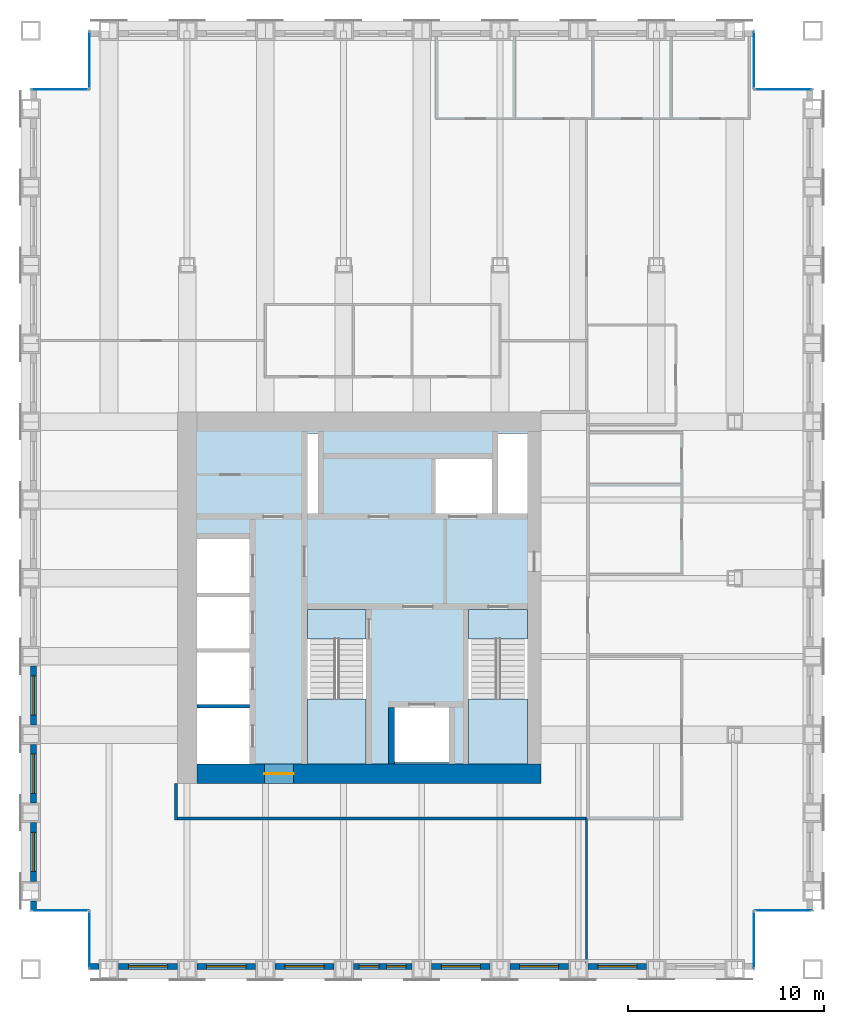
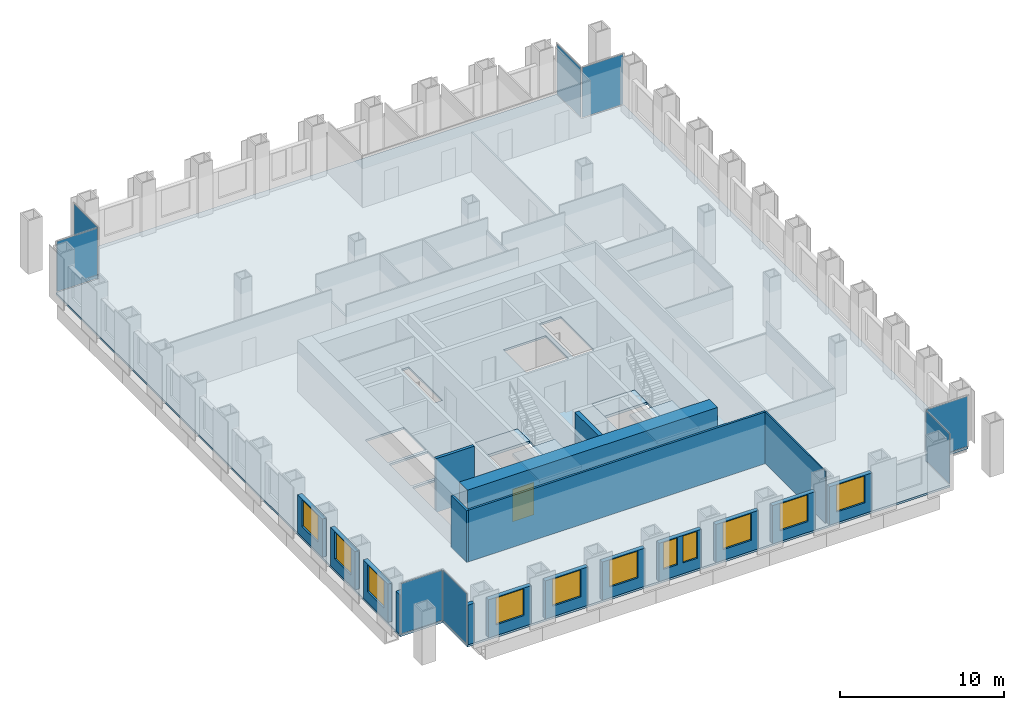
# One storey, part 8 of 13: 18 walls, 11 windows, 8 plates, 5 slabs, 1 door, 12 openings, 10 elements without a shape of their own.
"""IFC4 building model written with IfcOpenShell, lengths in metres."""

from ifc_helpers import new_model, si_unit, direction, frame, frame_2d, origin, origin_2d, place, context, subcontext, project, spatial, polyline, rectangle, outline, extrude, material, layer, layer_set, type_object, element, fill, aggregate, save


model = new_model("IFC4")

# Units and contexts
model_context = context("Model", 3, precision=1e-05, world=origin(), true_north=direction((0.0, 1.0)))
body_context = subcontext(model_context, "Body", "Model", "MODEL_VIEW")
ifc_project = project(units=[si_unit("LENGTHUNIT", "METRE"), si_unit("AREAUNIT", "SQUARE_METRE"), si_unit("VOLUMEUNIT", "CUBIC_METRE"), si_unit("PLANEANGLEUNIT", "RADIAN"), si_unit("MASSUNIT", "GRAM", prefix="KILO")], contexts=[model_context])

# Site, building, storey
site_placement = place(None, origin())
site = spatial("IfcSite", under=ifc_project, at=site_placement, CompositionType="ELEMENT")
building_placement = place(site_placement, origin())
building = spatial("IfcBuilding", under=site, at=building_placement, Name="Rimbunsela Tower", CompositionType="ELEMENT")
storey_placement = place(building_placement, frame((0.0, 0.0, 222.199951171875)))
storey = spatial("IfcBuildingStorey", under=building, at=storey_placement, Name="L53", CompositionType="ELEMENT", Elevation=222.199951171875)

# Slab
ifc_material_1 = material(Name="Concrete fc' 35 MPa", Category="concrete")
ifc_layer_1 = layer(ifc_material_1, 0.14990234375)
ifc_layer_set_1 = layer_set([ifc_layer_1], Name="Floor slab 150")
slab_type_1 = type_object("IfcSlabType", Name="Floor slab 150", PredefinedType="FLOOR", material=ifc_layer_set_1)
slab_1_placement = place(storey_placement, frame((0.0, 0.0, -0.14990234375)))
element("IfcSlab", 1, at=slab_1_placement, inside=storey, type_object=slab_type_1, Name="Floor slab L53", PredefinedType="FLOOR", context=body_context, shape_type="SweptSolid", body=[
    extrude(outline(polyline([(13.0, 8.0), (47.0, 8.0), (47.0, 11.0), (50.0, 11.0), (50.0, 53.0), (47.0, 53.0), (47.0, 56.0), (13.0, 56.0), (13.0, 53.0), (10.0, 53.0), (10.0, 11.0), (13.0, 11.0), (13.0, 8.0)]), holes=[polyline([(21.199951171875, 21.35009765625), (18.5, 21.35009765625), (18.5, 18.5), (21.199951171875, 18.5), (21.199951171875, 21.35009765625)]), polyline([(21.199951171875, 21.550048828125), (21.199951171875, 24.199951171875), (18.5, 24.199951171875), (18.5, 21.550048828125), (21.199951171875, 21.550048828125)]), polyline([(21.199951171875, 27.050048828125), (18.5, 27.050048828125), (18.5, 24.39990234375), (21.199951171875, 24.39990234375), (21.199951171875, 27.050048828125)]), polyline([(21.199951171875, 30.0), (18.5, 30.0), (18.5, 27.25), (21.199951171875, 27.25), (21.199951171875, 30.0)]), polyline([(27.14990234375, 26.39990234375), (24.14990234375, 26.39990234375), (24.14990234375, 18.60009765625), (27.14990234375, 18.60009765625), (27.14990234375, 26.39990234375)]), polyline([(24.699951171875, 31.300048828125), (24.699951171875, 35.39990234375), (24.14990234375, 35.39990234375), (24.14990234375, 31.300048828125), (24.699951171875, 31.300048828125)]), polyline([(31.39990234375, 21.39990234375), (28.60009765625, 21.39990234375), (28.60009765625, 18.60009765625), (31.39990234375, 18.60009765625), (31.39990234375, 21.39990234375)]), polyline([(33.60009765625, 34.10009765625), (30.60009765625, 34.10009765625), (30.60009765625, 31.300048828125), (33.60009765625, 31.300048828125), (33.60009765625, 34.10009765625)]), polyline([(35.39990234375, 18.60009765625), (35.39990234375, 26.39990234375), (32.39990234375, 26.39990234375), (32.39990234375, 18.60009765625), (35.39990234375, 18.60009765625)]), polyline([(35.39990234375, 31.300048828125), (35.39990234375, 35.39990234375), (33.89990234375, 35.39990234375), (33.89990234375, 31.300048828125), (35.39990234375, 31.300048828125)])]), origin(), (0.0, 0.0, 1.0), 0.14990234375),
])

# Curtain wall, plate
ifc_material_2 = material(Name="Aluminium curtain wall", Category="aluminium")
curtain_wall_type = type_object("IfcCurtainWallType", Name="Corner glazing", PredefinedType="USERDEFINED", material=ifc_material_2)
curtain_wall_1_placement = place(storey_placement, origin())
curtain_wall_1 = element("IfcCurtainWall", 2, at=curtain_wall_1_placement, inside=storey, type_object=curtain_wall_type, Name="Corner glazing L53", ObjectType="CORNER GLAZING", PredefinedType="USERDEFINED")
ifc_material_3 = material(Name="Clear double glazing", Category="glass")
ifc_layer_2 = layer(ifc_material_3, 0.028076171875)
ifc_layer_set_2 = layer_set([ifc_layer_2], Name="Glazed panel clear")
plate_type = type_object("IfcPlateType", Name="Glazed panel clear", PredefinedType="CURTAIN_PANEL", material=ifc_layer_set_2)
plate_1_placement = place(storey_placement, frame((47.0, 9.5, 0.06005859375), z_axis=(0.0, 0.0, 1.0), x_axis=(0.0, 1.0, 0.0)))
plate_1 = element("IfcPlate", 3, at=plate_1_placement, type_object=plate_type, Name="CW5 panel 1.1", PredefinedType="CURTAIN_PANEL", context=body_context, shape_type="SweptSolid", body=[
    extrude(rectangle(XDim=2.8798828125, YDim=0.028076171875, at=origin_2d()), origin(), (0.0, 0.0, 1.0), 3.72998046875),
])
aggregate(curtain_wall_1, [plate_1])

curtain_wall_2_placement = place(storey_placement, origin())
curtain_wall_2 = element("IfcCurtainWall", 4, at=curtain_wall_2_placement, inside=storey, type_object=curtain_wall_type, Name="Corner glazing L53", ObjectType="CORNER GLAZING", PredefinedType="USERDEFINED")
plate_2_placement = place(storey_placement, frame((48.5, 11.0, 0.06005859375), z_axis=(0.0, 0.0, 1.0), x_axis=(1.0, 0.0, 0.0)))
plate_2 = element("IfcPlate", 5, at=plate_2_placement, type_object=plate_type, Name="CW5 panel 1.1", PredefinedType="CURTAIN_PANEL", context=body_context, shape_type="SweptSolid", body=[
    extrude(rectangle(XDim=2.8798828125, YDim=0.028076171875, at=origin_2d()), origin(), (0.0, 0.0, 1.0), 3.72998046875),
])
aggregate(curtain_wall_2, [plate_2])

curtain_wall_3_placement = place(storey_placement, origin())
curtain_wall_3 = element("IfcCurtainWall", 6, at=curtain_wall_3_placement, inside=storey, type_object=curtain_wall_type, Name="Corner glazing L53", ObjectType="CORNER GLAZING", PredefinedType="USERDEFINED")
plate_3_placement = place(storey_placement, frame((48.5, 53.0, 0.06005859375), z_axis=(0.0, 0.0, 1.0), x_axis=(-1.0, 0.0, 0.0)))
plate_3 = element("IfcPlate", 7, at=plate_3_placement, type_object=plate_type, Name="CW5 panel 1.1", PredefinedType="CURTAIN_PANEL", context=body_context, shape_type="SweptSolid", body=[
    extrude(rectangle(XDim=2.8798828125, YDim=0.028076171875, at=origin_2d()), origin(), (0.0, 0.0, 1.0), 3.72998046875),
])
aggregate(curtain_wall_3, [plate_3])

curtain_wall_4_placement = place(storey_placement, origin())
curtain_wall_4 = element("IfcCurtainWall", 8, at=curtain_wall_4_placement, inside=storey, type_object=curtain_wall_type, Name="Corner glazing L53", ObjectType="CORNER GLAZING", PredefinedType="USERDEFINED")
plate_4_placement = place(storey_placement, frame((47.0, 54.5, 0.06005859375), z_axis=(0.0, 0.0, 1.0), x_axis=(0.0, 1.0, 0.0)))
plate_4 = element("IfcPlate", 9, at=plate_4_placement, type_object=plate_type, Name="CW5 panel 1.1", PredefinedType="CURTAIN_PANEL", context=body_context, shape_type="SweptSolid", body=[
    extrude(rectangle(XDim=2.8798828125, YDim=0.028076171875, at=origin_2d()), origin(), (0.0, 0.0, 1.0), 3.72998046875),
])
aggregate(curtain_wall_4, [plate_4])

curtain_wall_5_placement = place(storey_placement, origin())
curtain_wall_5 = element("IfcCurtainWall", 10, at=curtain_wall_5_placement, inside=storey, type_object=curtain_wall_type, Name="Corner glazing L53", ObjectType="CORNER GLAZING", PredefinedType="USERDEFINED")
plate_5_placement = place(storey_placement, frame((13.0, 54.5, 0.06005859375), z_axis=(0.0, 0.0, 1.0), x_axis=(0.0, -1.0, 0.0)))
plate_5 = element("IfcPlate", 11, at=plate_5_placement, type_object=plate_type, Name="CW5 panel 1.1", PredefinedType="CURTAIN_PANEL", context=body_context, shape_type="SweptSolid", body=[
    extrude(rectangle(XDim=2.8798828125, YDim=0.028076171875, at=origin_2d()), origin(), (0.0, 0.0, 1.0), 3.72998046875),
])
aggregate(curtain_wall_5, [plate_5])

curtain_wall_6_placement = place(storey_placement, origin())
curtain_wall_6 = element("IfcCurtainWall", 12, at=curtain_wall_6_placement, inside=storey, type_object=curtain_wall_type, Name="Corner glazing L53", ObjectType="CORNER GLAZING", PredefinedType="USERDEFINED")
plate_6_placement = place(storey_placement, frame((11.5, 53.0, 0.06005859375), z_axis=(0.0, 0.0, 1.0), x_axis=(-1.0, 0.0, 0.0)))
plate_6 = element("IfcPlate", 13, at=plate_6_placement, type_object=plate_type, Name="CW5 panel 1.1", PredefinedType="CURTAIN_PANEL", context=body_context, shape_type="SweptSolid", body=[
    extrude(rectangle(XDim=2.8798828125, YDim=0.028076171875, at=origin_2d()), origin(), (0.0, 0.0, 1.0), 3.72998046875),
])
aggregate(curtain_wall_6, [plate_6])

curtain_wall_7_placement = place(storey_placement, origin())
curtain_wall_7 = element("IfcCurtainWall", 14, at=curtain_wall_7_placement, inside=storey, type_object=curtain_wall_type, Name="Corner glazing L53", ObjectType="CORNER GLAZING", PredefinedType="USERDEFINED")
plate_7_placement = place(storey_placement, frame((11.5, 11.0, 0.06005859375), z_axis=(0.0, 0.0, 1.0), x_axis=(1.0, 0.0, 0.0)))
plate_7 = element("IfcPlate", 15, at=plate_7_placement, type_object=plate_type, Name="CW5 panel 1.1", PredefinedType="CURTAIN_PANEL", context=body_context, shape_type="SweptSolid", body=[
    extrude(rectangle(XDim=2.8798828125, YDim=0.028076171875, at=origin_2d()), origin(), (0.0, 0.0, 1.0), 3.72998046875),
])
aggregate(curtain_wall_7, [plate_7])

curtain_wall_8_placement = place(storey_placement, origin())
curtain_wall_8 = element("IfcCurtainWall", 16, at=curtain_wall_8_placement, inside=storey, type_object=curtain_wall_type, Name="Corner glazing L53", ObjectType="CORNER GLAZING", PredefinedType="USERDEFINED")
plate_8_placement = place(storey_placement, frame((13.0, 9.5, 0.06005859375), z_axis=(0.0, 0.0, 1.0), x_axis=(0.0, -1.0, 0.0)))
plate_8 = element("IfcPlate", 17, at=plate_8_placement, type_object=plate_type, Name="CW5 panel 1.1", PredefinedType="CURTAIN_PANEL", context=body_context, shape_type="SweptSolid", body=[
    extrude(rectangle(XDim=2.8798828125, YDim=0.028076171875, at=origin_2d()), origin(), (0.0, 0.0, 1.0), 3.72998046875),
])
aggregate(curtain_wall_8, [plate_8])

# Stair, slabs
ifc_material_4 = material(Name="Concrete fc' 35 MPa", Category="concrete")
stair_type = type_object("IfcStairType", Name="Exit stair 24 risers", PredefinedType="HALF_TURN_STAIR", material=ifc_material_4)
stair_1_placement = place(storey_placement, origin())
stair_1 = element("IfcStair", 18, at=stair_1_placement, inside=storey, type_object=stair_type, Name="Exit stair A L53", PredefinedType="HALF_TURN_STAIR")
ifc_material_5 = material(Name="Concrete fc' 35 MPa", Category="concrete")
ifc_layer_3 = layer(ifc_material_5, 0.199951171875)
ifc_layer_set_3 = layer_set([ifc_layer_3], Name="Stair landing 200")
slab_type_2 = type_object("IfcSlabType", Name="Stair landing 200", PredefinedType="LANDING", material=ifc_layer_set_3)
slab_2_placement = place(storey_placement, frame((0.0, 0.0, -0.199951171875)))
slab_2 = element("IfcSlab", 19, at=slab_2_placement, type_object=slab_type_2, Name="ST-A landing 1", PredefinedType="LANDING", context=body_context, shape_type="SweptSolid", body=[
    extrude(outline(polyline([(24.14990234375, 24.89990234375), (27.14990234375, 24.89990234375), (27.14990234375, 26.39990234375), (24.14990234375, 26.39990234375), (24.14990234375, 24.89990234375)])), origin(), (0.0, 0.0, 1.0), 0.199951171875),
])
slab_3_placement = place(storey_placement, frame((0.0, 0.0, 1.800048828125)))
slab_3 = element("IfcSlab", 20, at=slab_3_placement, type_object=slab_type_2, Name="ST-A landing 2", PredefinedType="LANDING", context=body_context, shape_type="SweptSolid", body=[
    extrude(outline(polyline([(24.14990234375, 18.5), (27.14990234375, 18.5), (27.14990234375, 21.820068359375), (24.14990234375, 21.820068359375), (24.14990234375, 18.5)])), origin(), (0.0, 0.0, 1.0), 0.199951171875),
])
aggregate(stair_1, [slab_2, slab_3])

stair_2_placement = place(storey_placement, origin())
stair_2 = element("IfcStair", 21, at=stair_2_placement, inside=storey, type_object=stair_type, Name="Exit stair B L53", PredefinedType="HALF_TURN_STAIR")
slab_4_placement = place(storey_placement, frame((0.0, 0.0, -0.199951171875)))
slab_4 = element("IfcSlab", 22, at=slab_4_placement, type_object=slab_type_2, Name="ST-B landing 1", PredefinedType="LANDING", context=body_context, shape_type="SweptSolid", body=[
    extrude(outline(polyline([(32.39990234375, 24.89990234375), (35.39990234375, 24.89990234375), (35.39990234375, 26.39990234375), (32.39990234375, 26.39990234375), (32.39990234375, 24.89990234375)])), origin(), (0.0, 0.0, 1.0), 0.199951171875),
])
slab_5_placement = place(storey_placement, frame((0.0, 0.0, 1.800048828125)))
slab_5 = element("IfcSlab", 23, at=slab_5_placement, type_object=slab_type_2, Name="ST-B landing 2", PredefinedType="LANDING", context=body_context, shape_type="SweptSolid", body=[
    extrude(outline(polyline([(32.39990234375, 18.5), (35.39990234375, 18.5), (35.39990234375, 21.820068359375), (32.39990234375, 21.820068359375), (32.39990234375, 18.5)])), origin(), (0.0, 0.0, 1.0), 0.199951171875),
])
aggregate(stair_2, [slab_4, slab_5])

# Wall
ifc_material_6 = material(Name="Concrete fc' 80 MPa", Category="concrete")
ifc_layer_4 = layer(ifc_material_6, 0.300048828125)
ifc_layer_set_4 = layer_set([ifc_layer_4], Name="Core internal wall 300")
wall_type_1 = type_object("IfcWallType", Name="Core internal wall 300", PredefinedType="SHEAR", material=ifc_layer_set_4)
wall_1_placement = place(storey_placement, frame((28.449951171875, 18.5, -0.14990234375), z_axis=(0.0, 0.0, 1.0), x_axis=(0.0, 1.0, 0.0)))
element("IfcWall", 24, at=wall_1_placement, inside=storey, type_object=wall_type_1, Name="Firefighting lift shaft west", PredefinedType="SHEAR", context=body_context, shape_type="SweptSolid", body=[
    extrude(rectangle(XDim=2.89990234375, YDim=0.300048828125, at=frame_2d((1.449951171875, 0.0))), origin(), (0.0, 0.0, 1.0), 4.0),
])

# Wall, opening, door
ifc_material_7 = material(Name="Concrete fc' 80 MPa", Category="concrete")
ifc_layer_5 = layer(ifc_material_7, 1.0)
ifc_layer_set_5 = layer_set([ifc_layer_5], Name="Core wall 1000")
wall_type_2 = type_object("IfcWallType", Name="Core wall 1000", PredefinedType="SHEAR", material=ifc_layer_set_5)
wall_2_placement = place(storey_placement, frame((18.5, 18.0, -0.14990234375), z_axis=(0.0, 0.0, 1.0), x_axis=(1.0, 0.0, 0.0)))
wall_2 = element("IfcWall", 25, at=wall_2_placement, inside=storey, type_object=wall_type_2, Name="Core wall south", PredefinedType="SHEAR", context=body_context, shape_type="SweptSolid", body=[
    extrude(rectangle(XDim=17.60009765625, YDim=1.0, at=frame_2d((8.800048828125, 0.0))), origin(), (0.0, 0.0, 1.0), 4.0),
])
opening_1_placement = place(wall_2_placement, frame((3.449951171875, 0.0, 0.14990234375)))
opening_1 = element("IfcOpeningElement", 26, at=opening_1_placement, cuts=wall_2, Name="Opening D03", PredefinedType="OPENING", context=body_context, shape_type="SweptSolid", body=[
    extrude(rectangle(XDim=1.5, YDim=2.39990234375, at=frame_2d((0.75, 1.199951171875))), frame((0.0, 0.510009765625, 0.0), z_axis=(0.0, -1.0, 0.0), x_axis=(1.0, 0.0, 0.0)), (0.0, 0.0, 1.0), 1.02001953125),
])
ifc_material_8 = material(Name="Steel door, fire rated", Category="steel")
door_type = type_object("IfcDoorType", Name="Core lobby door 1500", OperationType="DOUBLE_DOOR_DOUBLE_SWING", PredefinedType="DOOR", material=ifc_material_8)
door_placement = place(opening_1_placement, origin())
door = element("IfcDoor", 27, at=door_placement, inside=storey, type_object=door_type, Name="Core door south", OperationType="DOUBLE_DOOR_DOUBLE_SWING", OverallHeight=2.39990234375, OverallWidth=1.5, PredefinedType="DOOR", context=body_context, shape_type="SweptSolid", body=[
    extrude(rectangle(XDim=1.5, YDim=2.39990234375, at=frame_2d((0.75, 1.199951171875))), frame((0.0, 0.02490234375, 0.0), z_axis=(0.0, -1.0, 0.0), x_axis=(1.0, 0.0, 0.0)), (0.0, 0.0, 1.0), 0.050048828125),
])
fill(opening_1, door)

# Walls
ifc_material_9 = material(Name="Concrete blockwork", Category="masonry")
ifc_layer_6 = layer(ifc_material_9, 0.199951171875)
ifc_layer_set_6 = layer_set([ifc_layer_6], Name="Lift shaft wall 200")
wall_type_3 = type_object("IfcWallType", Name="Lift shaft wall 200", PredefinedType="SOLIDWALL", material=ifc_layer_set_6)
wall_3_placement = place(storey_placement, frame((18.5, 21.449951171875, -0.14990234375), z_axis=(0.0, 0.0, 1.0), x_axis=(1.0, 0.0, 0.0)))
element("IfcWall", 28, at=wall_3_placement, inside=storey, type_object=wall_type_3, Name="Lift shaft separation", PredefinedType="SOLIDWALL", context=body_context, shape_type="SweptSolid", body=[
    extrude(rectangle(XDim=2.699951171875, YDim=0.199951171875, at=frame_2d((1.35009765625, 0.0))), origin(), (0.0, 0.0, 1.0), 4.0),
])
ifc_material_10 = material(Name="Gypsum board on steel studs", Category="steel")
ifc_layer_7 = layer(ifc_material_10, 0.10009765625)
ifc_layer_set_7 = layer_set([ifc_layer_7], Name="Office partition 100")
wall_type_4 = type_object("IfcWallType", Name="Office partition 100", PredefinedType="PARTITIONING", material=ifc_layer_set_7)
wall_4_placement = place(storey_placement, frame((38.425048828125, 15.699951171875, 0.0), z_axis=(0.0, 0.0, 1.0), x_axis=(0.0, -1.0, 0.0)))
element("IfcWall", 29, at=wall_4_placement, inside=storey, type_object=wall_type_4, Name="Office partition", PredefinedType="PARTITIONING", context=body_context, shape_type="SweptSolid", body=[
    extrude(rectangle(XDim=7.39990234375, YDim=0.10009765625, at=frame_2d((3.699951171875, 0.0))), origin(), (0.0, 0.0, 1.0), 3.85009765625),
])
ifc_material_11 = material(Name="Precast concrete fc' 35 MPa", Category="concrete")
ifc_layer_8 = layer(ifc_material_11, 0.300048828125)
ifc_layer_set_8 = layer_set([ifc_layer_8], Name="Precast concrete fc' 35 MPa")
wall_type_5 = type_object("IfcWallType", Name="Precast facade panel 300", PredefinedType="ELEMENTEDWALL", material=ifc_layer_set_8)
wall_5_placement = place(storey_placement, frame((13.030029296875, 8.14990234375, 0.0), z_axis=(0.0, 0.0, 1.0), x_axis=(1.0, 0.0, 0.0)))
element("IfcWall", 30, at=wall_5_placement, inside=storey, type_object=wall_type_5, Name="Facade panel S L53", PredefinedType="ELEMENTEDWALL", context=body_context, shape_type="SweptSolid", body=[
    extrude(rectangle(XDim=0.469970703125, YDim=0.300048828125, at=frame_2d((0.23486328125, 0.0))), origin(), (0.0, 0.0, 1.0), 2.949951171875),
])

# Wall, opening, window
wall_6_placement = place(storey_placement, frame((14.5, 8.14990234375, 0.0), z_axis=(0.0, 0.0, 1.0), x_axis=(1.0, 0.0, 0.0)))
wall_6 = element("IfcWall", 31, at=wall_6_placement, inside=storey, type_object=wall_type_5, Name="Facade panel S L53", PredefinedType="ELEMENTEDWALL", context=body_context, shape_type="SweptSolid", body=[
    extrude(rectangle(XDim=3.0, YDim=0.300048828125, at=frame_2d((1.5, 0.0))), origin(), (0.0, 0.0, 1.0), 2.85009765625),
])
opening_2_placement = place(wall_6_placement, frame((0.5, 0.0, 0.800048828125)))
opening_2 = element("IfcOpeningElement", 32, at=opening_2_placement, cuts=wall_6, Name="Opening W1", PredefinedType="OPENING", context=body_context, shape_type="SweptSolid", body=[
    extrude(rectangle(XDim=2.0, YDim=2.0, at=frame_2d((1.0, 1.0))), frame((0.0, 0.159912109375, 0.0), z_axis=(0.0, -1.0, 0.0), x_axis=(1.0, 0.0, 0.0)), (0.0, 0.0, 1.0), 0.320068359375),
])
ifc_material_12 = material(Name="Clear glass in aluminium frame", Category="aluminium")
window_type_1 = type_object("IfcWindowType", Name="Window W1 2000x2000", PartitioningType="DOUBLE_PANEL_VERTICAL", PredefinedType="WINDOW", material=ifc_material_12)
window_1_placement = place(opening_2_placement, origin())
window_1 = element("IfcWindow", 33, at=window_1_placement, inside=storey, type_object=window_type_1, Name="Window L53", OverallHeight=2.0, OverallWidth=2.0, PartitioningType="SINGLE_PANEL", PredefinedType="WINDOW", context=body_context, shape_type="SweptSolid", body=[
    extrude(rectangle(XDim=2.0, YDim=2.0, at=frame_2d((1.0, 1.0))), frame((0.0, 0.030029296875, 0.0), z_axis=(0.0, -1.0, 0.0), x_axis=(1.0, 0.0, 0.0)), (0.0, 0.0, 1.0), 0.06005859375),
])
fill(opening_2, window_1)

wall_7_placement = place(storey_placement, frame((18.5, 8.14990234375, 0.0), z_axis=(0.0, 0.0, 1.0), x_axis=(1.0, 0.0, 0.0)))
wall_7 = element("IfcWall", 34, at=wall_7_placement, inside=storey, type_object=wall_type_5, Name="Facade panel S L53", PredefinedType="ELEMENTEDWALL", context=body_context, shape_type="SweptSolid", body=[
    extrude(rectangle(XDim=3.0, YDim=0.300048828125, at=frame_2d((1.5, 0.0))), origin(), (0.0, 0.0, 1.0), 2.85009765625),
])
opening_3_placement = place(wall_7_placement, frame((0.5, 0.0, 0.800048828125)))
opening_3 = element("IfcOpeningElement", 35, at=opening_3_placement, cuts=wall_7, Name="Opening W1", PredefinedType="OPENING", context=body_context, shape_type="SweptSolid", body=[
    extrude(rectangle(XDim=2.0, YDim=2.0, at=frame_2d((1.0, 1.0))), frame((0.0, 0.159912109375, 0.0), z_axis=(0.0, -1.0, 0.0), x_axis=(1.0, 0.0, 0.0)), (0.0, 0.0, 1.0), 0.320068359375),
])
window_2_placement = place(opening_3_placement, origin())
window_2 = element("IfcWindow", 36, at=window_2_placement, inside=storey, type_object=window_type_1, Name="Window L53", OverallHeight=2.0, OverallWidth=2.0, PartitioningType="SINGLE_PANEL", PredefinedType="WINDOW", context=body_context, shape_type="SweptSolid", body=[
    extrude(rectangle(XDim=2.0, YDim=2.0, at=frame_2d((1.0, 1.0))), frame((0.0, 0.030029296875, 0.0), z_axis=(0.0, -1.0, 0.0), x_axis=(1.0, 0.0, 0.0)), (0.0, 0.0, 1.0), 0.06005859375),
])
fill(opening_3, window_2)

wall_8_placement = place(storey_placement, frame((22.5, 8.14990234375, 0.0), z_axis=(0.0, 0.0, 1.0), x_axis=(1.0, 0.0, 0.0)))
wall_8 = element("IfcWall", 37, at=wall_8_placement, inside=storey, type_object=wall_type_5, Name="Facade panel S L53", PredefinedType="ELEMENTEDWALL", context=body_context, shape_type="SweptSolid", body=[
    extrude(rectangle(XDim=3.0, YDim=0.300048828125, at=frame_2d((1.5, 0.0))), origin(), (0.0, 0.0, 1.0), 2.85009765625),
])
opening_4_placement = place(wall_8_placement, frame((0.5, 0.0, 0.800048828125)))
opening_4 = element("IfcOpeningElement", 38, at=opening_4_placement, cuts=wall_8, Name="Opening W1", PredefinedType="OPENING", context=body_context, shape_type="SweptSolid", body=[
    extrude(rectangle(XDim=2.0, YDim=2.0, at=frame_2d((1.0, 1.0))), frame((0.0, 0.159912109375, 0.0), z_axis=(0.0, -1.0, 0.0), x_axis=(1.0, 0.0, 0.0)), (0.0, 0.0, 1.0), 0.320068359375),
])
window_3_placement = place(opening_4_placement, origin())
window_3 = element("IfcWindow", 39, at=window_3_placement, inside=storey, type_object=window_type_1, Name="Window L53", OverallHeight=2.0, OverallWidth=2.0, PartitioningType="SINGLE_PANEL", PredefinedType="WINDOW", context=body_context, shape_type="SweptSolid", body=[
    extrude(rectangle(XDim=2.0, YDim=2.0, at=frame_2d((1.0, 1.0))), frame((0.0, 0.030029296875, 0.0), z_axis=(0.0, -1.0, 0.0), x_axis=(1.0, 0.0, 0.0)), (0.0, 0.0, 1.0), 0.06005859375),
])
fill(opening_4, window_3)

# Wall, openings, windows
wall_9_placement = place(storey_placement, frame((26.5, 8.14990234375, 0.0), z_axis=(0.0, 0.0, 1.0), x_axis=(1.0, 0.0, 0.0)))
wall_9 = element("IfcWall", 40, at=wall_9_placement, inside=storey, type_object=wall_type_5, Name="Facade panel S L53", PredefinedType="ELEMENTEDWALL", context=body_context, shape_type="SweptSolid", body=[
    extrude(rectangle(XDim=3.0, YDim=0.300048828125, at=frame_2d((1.5, 0.0))), origin(), (0.0, 0.0, 1.0), 2.85009765625),
])
opening_5_placement = place(wall_9_placement, frame((0.300048828125, 0.0, 0.800048828125)))
opening_5 = element("IfcOpeningElement", 41, at=opening_5_placement, cuts=wall_9, Name="Opening W5", PredefinedType="OPENING", context=body_context, shape_type="SweptSolid", body=[
    extrude(rectangle(XDim=1.0, YDim=2.0, at=frame_2d((0.5, 1.0))), frame((0.0, 0.159912109375, 0.0), z_axis=(0.0, -1.0, 0.0), x_axis=(1.0, 0.0, 0.0)), (0.0, 0.0, 1.0), 0.320068359375),
])
opening_6_placement = place(wall_9_placement, frame((1.699951171875, 0.0, 0.800048828125)))
opening_6 = element("IfcOpeningElement", 42, at=opening_6_placement, cuts=wall_9, Name="Opening W5", PredefinedType="OPENING", context=body_context, shape_type="SweptSolid", body=[
    extrude(rectangle(XDim=1.0, YDim=2.0, at=frame_2d((0.5, 1.0))), frame((0.0, 0.159912109375, 0.0), z_axis=(0.0, -1.0, 0.0), x_axis=(1.0, 0.0, 0.0)), (0.0, 0.0, 1.0), 0.320068359375),
])
ifc_material_13 = material(Name="Clear glass in aluminium frame", Category="aluminium")
window_type_2 = type_object("IfcWindowType", Name="Window W5 1000x2000", PartitioningType="SINGLE_PANEL", PredefinedType="WINDOW", material=ifc_material_13)
window_4_placement = place(opening_5_placement, origin())
window_4 = element("IfcWindow", 43, at=window_4_placement, inside=storey, type_object=window_type_2, Name="Window L53", OverallHeight=2.0, OverallWidth=1.0, PartitioningType="SINGLE_PANEL", PredefinedType="WINDOW", context=body_context, shape_type="SweptSolid", body=[
    extrude(rectangle(XDim=1.0, YDim=2.0, at=frame_2d((0.5, 1.0))), frame((0.0, 0.030029296875, 0.0), z_axis=(0.0, -1.0, 0.0), x_axis=(1.0, 0.0, 0.0)), (0.0, 0.0, 1.0), 0.06005859375),
])
fill(opening_5, window_4)
window_5_placement = place(opening_6_placement, origin())
window_5 = element("IfcWindow", 44, at=window_5_placement, inside=storey, type_object=window_type_2, Name="Window L53", OverallHeight=2.0, OverallWidth=1.0, PartitioningType="SINGLE_PANEL", PredefinedType="WINDOW", context=body_context, shape_type="SweptSolid", body=[
    extrude(rectangle(XDim=1.0, YDim=2.0, at=frame_2d((0.5, 1.0))), frame((0.0, 0.030029296875, 0.0), z_axis=(0.0, -1.0, 0.0), x_axis=(1.0, 0.0, 0.0)), (0.0, 0.0, 1.0), 0.06005859375),
])
fill(opening_6, window_5)

# Wall, opening, window
wall_10_placement = place(storey_placement, frame((30.5, 8.14990234375, 0.0), z_axis=(0.0, 0.0, 1.0), x_axis=(1.0, 0.0, 0.0)))
wall_10 = element("IfcWall", 45, at=wall_10_placement, inside=storey, type_object=wall_type_5, Name="Facade panel S L53", PredefinedType="ELEMENTEDWALL", context=body_context, shape_type="SweptSolid", body=[
    extrude(rectangle(XDim=3.0, YDim=0.300048828125, at=frame_2d((1.5, 0.0))), origin(), (0.0, 0.0, 1.0), 2.85009765625),
])
opening_7_placement = place(wall_10_placement, frame((0.5, 0.0, 0.800048828125)))
opening_7 = element("IfcOpeningElement", 46, at=opening_7_placement, cuts=wall_10, Name="Opening W1", PredefinedType="OPENING", context=body_context, shape_type="SweptSolid", body=[
    extrude(rectangle(XDim=2.0, YDim=2.0, at=frame_2d((1.0, 1.0))), frame((0.0, 0.159912109375, 0.0), z_axis=(0.0, -1.0, 0.0), x_axis=(1.0, 0.0, 0.0)), (0.0, 0.0, 1.0), 0.320068359375),
])
window_6_placement = place(opening_7_placement, origin())
window_6 = element("IfcWindow", 47, at=window_6_placement, inside=storey, type_object=window_type_1, Name="Window L53", OverallHeight=2.0, OverallWidth=2.0, PartitioningType="SINGLE_PANEL", PredefinedType="WINDOW", context=body_context, shape_type="SweptSolid", body=[
    extrude(rectangle(XDim=2.0, YDim=2.0, at=frame_2d((1.0, 1.0))), frame((0.0, 0.030029296875, 0.0), z_axis=(0.0, -1.0, 0.0), x_axis=(1.0, 0.0, 0.0)), (0.0, 0.0, 1.0), 0.06005859375),
])
fill(opening_7, window_6)

wall_11_placement = place(storey_placement, frame((34.5, 8.14990234375, 0.0), z_axis=(0.0, 0.0, 1.0), x_axis=(1.0, 0.0, 0.0)))
wall_11 = element("IfcWall", 48, at=wall_11_placement, inside=storey, type_object=wall_type_5, Name="Facade panel S L53", PredefinedType="ELEMENTEDWALL", context=body_context, shape_type="SweptSolid", body=[
    extrude(rectangle(XDim=3.0, YDim=0.300048828125, at=frame_2d((1.5, 0.0))), origin(), (0.0, 0.0, 1.0), 2.85009765625),
])
opening_8_placement = place(wall_11_placement, frame((0.5, 0.0, 0.800048828125)))
opening_8 = element("IfcOpeningElement", 49, at=opening_8_placement, cuts=wall_11, Name="Opening W1", PredefinedType="OPENING", context=body_context, shape_type="SweptSolid", body=[
    extrude(rectangle(XDim=2.0, YDim=2.0, at=frame_2d((1.0, 1.0))), frame((0.0, 0.159912109375, 0.0), z_axis=(0.0, -1.0, 0.0), x_axis=(1.0, 0.0, 0.0)), (0.0, 0.0, 1.0), 0.320068359375),
])
window_7_placement = place(opening_8_placement, origin())
window_7 = element("IfcWindow", 50, at=window_7_placement, inside=storey, type_object=window_type_1, Name="Window L53", OverallHeight=2.0, OverallWidth=2.0, PartitioningType="SINGLE_PANEL", PredefinedType="WINDOW", context=body_context, shape_type="SweptSolid", body=[
    extrude(rectangle(XDim=2.0, YDim=2.0, at=frame_2d((1.0, 1.0))), frame((0.0, 0.030029296875, 0.0), z_axis=(0.0, -1.0, 0.0), x_axis=(1.0, 0.0, 0.0)), (0.0, 0.0, 1.0), 0.06005859375),
])
fill(opening_8, window_7)

wall_12_placement = place(storey_placement, frame((38.5, 8.14990234375, 0.0), z_axis=(0.0, 0.0, 1.0), x_axis=(1.0, 0.0, 0.0)))
wall_12 = element("IfcWall", 51, at=wall_12_placement, inside=storey, type_object=wall_type_5, Name="Facade panel S L53", PredefinedType="ELEMENTEDWALL", context=body_context, shape_type="SweptSolid", body=[
    extrude(rectangle(XDim=3.0, YDim=0.300048828125, at=frame_2d((1.5, 0.0))), origin(), (0.0, 0.0, 1.0), 2.85009765625),
])
opening_9_placement = place(wall_12_placement, frame((0.5, 0.0, 0.800048828125)))
opening_9 = element("IfcOpeningElement", 52, at=opening_9_placement, cuts=wall_12, Name="Opening W1", PredefinedType="OPENING", context=body_context, shape_type="SweptSolid", body=[
    extrude(rectangle(XDim=2.0, YDim=2.0, at=frame_2d((1.0, 1.0))), frame((0.0, 0.159912109375, 0.0), z_axis=(0.0, -1.0, 0.0), x_axis=(1.0, 0.0, 0.0)), (0.0, 0.0, 1.0), 0.320068359375),
])
window_8_placement = place(opening_9_placement, origin())
window_8 = element("IfcWindow", 53, at=window_8_placement, inside=storey, type_object=window_type_1, Name="Window L53", OverallHeight=2.0, OverallWidth=2.0, PartitioningType="SINGLE_PANEL", PredefinedType="WINDOW", context=body_context, shape_type="SweptSolid", body=[
    extrude(rectangle(XDim=2.0, YDim=2.0, at=frame_2d((1.0, 1.0))), frame((0.0, 0.030029296875, 0.0), z_axis=(0.0, -1.0, 0.0), x_axis=(1.0, 0.0, 0.0)), (0.0, 0.0, 1.0), 0.06005859375),
])
fill(opening_9, window_8)

# Wall
wall_13_placement = place(storey_placement, frame((10.14990234375, 11.5, 0.0), z_axis=(0.0, 0.0, 1.0), x_axis=(0.0, -1.0, 0.0)))
element("IfcWall", 54, at=wall_13_placement, inside=storey, type_object=wall_type_5, Name="Facade panel W L53", PredefinedType="ELEMENTEDWALL", context=body_context, shape_type="SweptSolid", body=[
    extrude(rectangle(XDim=0.469970703125, YDim=0.300048828125, at=frame_2d((0.23486328125, 0.0))), origin(), (0.0, 0.0, 1.0), 2.949951171875),
])

# Wall, opening, window
wall_14_placement = place(storey_placement, frame((10.14990234375, 15.5, 0.0), z_axis=(0.0, 0.0, 1.0), x_axis=(0.0, -1.0, 0.0)))
wall_14 = element("IfcWall", 55, at=wall_14_placement, inside=storey, type_object=wall_type_5, Name="Facade panel W L53", PredefinedType="ELEMENTEDWALL", context=body_context, shape_type="SweptSolid", body=[
    extrude(rectangle(XDim=3.0, YDim=0.300048828125, at=frame_2d((1.5, 0.0))), origin(), (0.0, 0.0, 1.0), 2.85009765625),
])
opening_10_placement = place(wall_14_placement, frame((0.5, 0.0, 0.800048828125)))
opening_10 = element("IfcOpeningElement", 56, at=opening_10_placement, cuts=wall_14, Name="Opening W1", PredefinedType="OPENING", context=body_context, shape_type="SweptSolid", body=[
    extrude(rectangle(XDim=2.0, YDim=2.0, at=frame_2d((1.0, 1.0))), frame((0.0, 0.159912109375, 0.0), z_axis=(0.0, -1.0, 0.0), x_axis=(1.0, 0.0, 0.0)), (0.0, 0.0, 1.0), 0.320068359375),
])
window_9_placement = place(opening_10_placement, origin())
window_9 = element("IfcWindow", 57, at=window_9_placement, inside=storey, type_object=window_type_1, Name="Window L53", OverallHeight=2.0, OverallWidth=2.0, PartitioningType="SINGLE_PANEL", PredefinedType="WINDOW", context=body_context, shape_type="SweptSolid", body=[
    extrude(rectangle(XDim=2.0, YDim=2.0, at=frame_2d((1.0, 1.0))), frame((0.0, 0.030029296875, 0.0), z_axis=(0.0, -1.0, 0.0), x_axis=(1.0, 0.0, 0.0)), (0.0, 0.0, 1.0), 0.06005859375),
])
fill(opening_10, window_9)

wall_15_placement = place(storey_placement, frame((10.14990234375, 19.5, 0.0), z_axis=(0.0, 0.0, 1.0), x_axis=(0.0, -1.0, 0.0)))
wall_15 = element("IfcWall", 58, at=wall_15_placement, inside=storey, type_object=wall_type_5, Name="Facade panel W L53", PredefinedType="ELEMENTEDWALL", context=body_context, shape_type="SweptSolid", body=[
    extrude(rectangle(XDim=3.0, YDim=0.300048828125, at=frame_2d((1.5, 0.0))), origin(), (0.0, 0.0, 1.0), 2.85009765625),
])
opening_11_placement = place(wall_15_placement, frame((0.5, 0.0, 0.800048828125)))
opening_11 = element("IfcOpeningElement", 59, at=opening_11_placement, cuts=wall_15, Name="Opening W1", PredefinedType="OPENING", context=body_context, shape_type="SweptSolid", body=[
    extrude(rectangle(XDim=2.0, YDim=2.0, at=frame_2d((1.0, 1.0))), frame((0.0, 0.159912109375, 0.0), z_axis=(0.0, -1.0, 0.0), x_axis=(1.0, 0.0, 0.0)), (0.0, 0.0, 1.0), 0.320068359375),
])
window_10_placement = place(opening_11_placement, origin())
window_10 = element("IfcWindow", 60, at=window_10_placement, inside=storey, type_object=window_type_1, Name="Window L53", OverallHeight=2.0, OverallWidth=2.0, PartitioningType="SINGLE_PANEL", PredefinedType="WINDOW", context=body_context, shape_type="SweptSolid", body=[
    extrude(rectangle(XDim=2.0, YDim=2.0, at=frame_2d((1.0, 1.0))), frame((0.0, 0.030029296875, 0.0), z_axis=(0.0, -1.0, 0.0), x_axis=(1.0, 0.0, 0.0)), (0.0, 0.0, 1.0), 0.06005859375),
])
fill(opening_11, window_10)

wall_16_placement = place(storey_placement, frame((10.14990234375, 23.5, 0.0), z_axis=(0.0, 0.0, 1.0), x_axis=(0.0, -1.0, 0.0)))
wall_16 = element("IfcWall", 61, at=wall_16_placement, inside=storey, type_object=wall_type_5, Name="Facade panel W L53", PredefinedType="ELEMENTEDWALL", context=body_context, shape_type="SweptSolid", body=[
    extrude(rectangle(XDim=3.0, YDim=0.300048828125, at=frame_2d((1.5, 0.0))), origin(), (0.0, 0.0, 1.0), 2.85009765625),
])
opening_12_placement = place(wall_16_placement, frame((0.5, 0.0, 0.800048828125)))
opening_12 = element("IfcOpeningElement", 62, at=opening_12_placement, cuts=wall_16, Name="Opening W1", PredefinedType="OPENING", context=body_context, shape_type="SweptSolid", body=[
    extrude(rectangle(XDim=2.0, YDim=2.0, at=frame_2d((1.0, 1.0))), frame((0.0, 0.159912109375, 0.0), z_axis=(0.0, -1.0, 0.0), x_axis=(1.0, 0.0, 0.0)), (0.0, 0.0, 1.0), 0.320068359375),
])
window_11_placement = place(opening_12_placement, origin())
window_11 = element("IfcWindow", 63, at=window_11_placement, inside=storey, type_object=window_type_1, Name="Window L53", OverallHeight=2.0, OverallWidth=2.0, PartitioningType="SINGLE_PANEL", PredefinedType="WINDOW", context=body_context, shape_type="SweptSolid", body=[
    extrude(rectangle(XDim=2.0, YDim=2.0, at=frame_2d((1.0, 1.0))), frame((0.0, 0.030029296875, 0.0), z_axis=(0.0, -1.0, 0.0), x_axis=(1.0, 0.0, 0.0)), (0.0, 0.0, 1.0), 0.06005859375),
])
fill(opening_12, window_11)

# Walls
ifc_material_14 = material(Name="Fire-rated gypsum board on steel studs, EI 60", Category="steel")
ifc_layer_9 = layer(ifc_material_14, 0.14990234375)
ifc_layer_set_9 = layer_set([ifc_layer_9], Name="Rated corridor wall 150")
wall_type_6 = type_object("IfcWallType", Name="Rated corridor wall 150", PredefinedType="PARTITIONING", material=ifc_layer_set_9)
wall_17_placement = place(storey_placement, frame((17.425048828125, 15.625, 0.0), z_axis=(0.0, 0.0, 1.0), x_axis=(0.0, 1.0, 0.0)))
element("IfcWall", 64, at=wall_17_placement, inside=storey, type_object=wall_type_6, Name="Corridor end wall south", PredefinedType="PARTITIONING", context=body_context, shape_type="SweptSolid", body=[
    extrude(rectangle(XDim=1.875, YDim=0.14990234375, at=frame_2d((0.9375, 0.0))), origin(), (0.0, 0.0, 1.0), 3.85009765625),
])
wall_18_placement = place(storey_placement, frame((17.5, 15.699951171875, 0.0), z_axis=(0.0, 0.0, 1.0), x_axis=(1.0, 0.0, 0.0)))
element("IfcWall", 65, at=wall_18_placement, inside=storey, type_object=wall_type_6, Name="Corridor wall south", PredefinedType="PARTITIONING", context=body_context, shape_type="SweptSolid", body=[
    extrude(rectangle(XDim=20.925048828125, YDim=0.14990234375, at=frame_2d((10.46240234375, 0.0))), origin(), (0.0, 0.0, 1.0), 3.85009765625),
])

save(model, "model.ifc")
